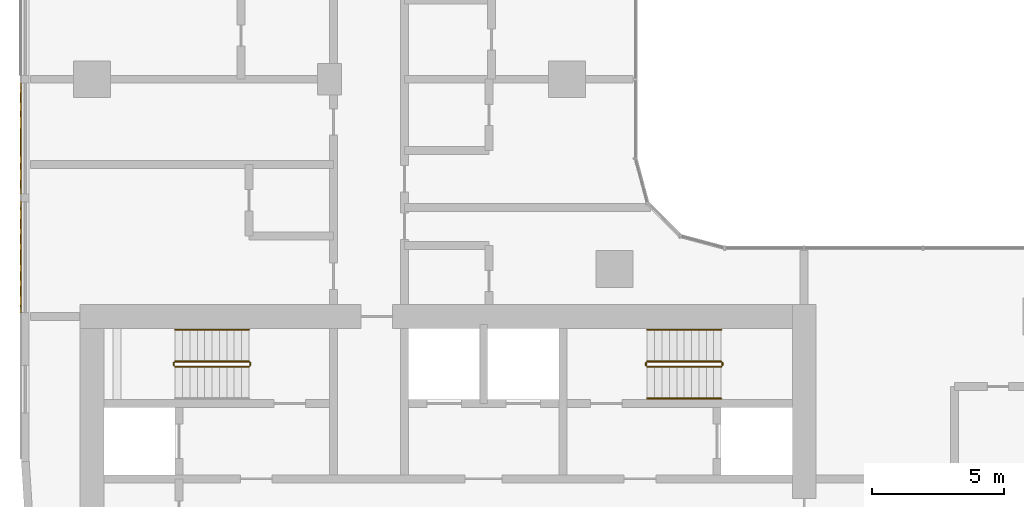
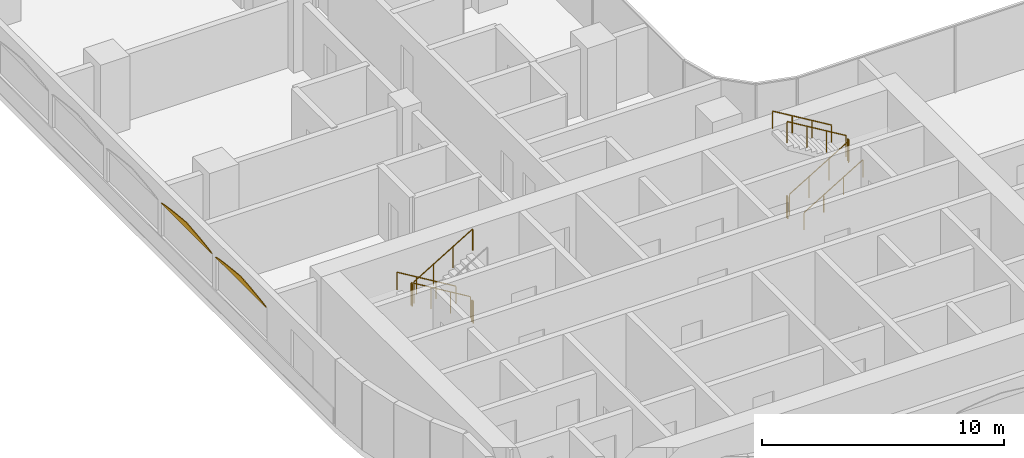
# One storey, part 29 of 34: 11 railings, 2 coverings.
"""IFC4 building model written with IfcOpenShell, lengths in metres."""

from ifc_helpers import new_model, si_unit, direction, frame, origin, origin_2d, place, context, subcontext, project, spatial, polyline, circle, outline, extrude, material, layer, layer_set, type_object, element, save


model = new_model("IFC4")

# Units and contexts
model_context = context("Model", 3, precision=1e-05, world=origin(), true_north=direction((0.0, 1.0)))
body_context = subcontext(model_context, "Body", "Model", "MODEL_VIEW")
ifc_project = project(units=[si_unit("LENGTHUNIT", "METRE"), si_unit("AREAUNIT", "SQUARE_METRE"), si_unit("VOLUMEUNIT", "CUBIC_METRE"), si_unit("PLANEANGLEUNIT", "RADIAN"), si_unit("MASSUNIT", "GRAM", prefix="KILO")], contexts=[model_context])

# Site, building, storey
site_placement = place(None, origin())
site = spatial("IfcSite", under=ifc_project, at=site_placement, CompositionType="ELEMENT")
building_placement = place(site_placement, origin())
building = spatial("IfcBuilding", under=site, at=building_placement, Name="Ogive Portal Towers", CompositionType="ELEMENT")
storey_placement = place(building_placement, frame((0.0, 0.0, 66.800048828125)))
storey = spatial("IfcBuildingStorey", under=building, at=storey_placement, Name="L15", CompositionType="ELEMENT", Elevation=66.800048828125)

# Railings
ifc_material_1 = material(Name="Stainless steel balustrade", Category="steel")
railing_type_1 = type_object("IfcRailingType", Name="INT-GUARD", PredefinedType="GUARDRAIL", material=ifc_material_1)
railing_1_placement = place(storey_placement, frame((37.449951171875, 37.800048828125, 0.168212890625)))
element("IfcRailing", 1, at=railing_1_placement, inside=storey, type_object=railing_type_1, Name="L15 ST-A1 stair guard 1", PredefinedType="GUARDRAIL", context=body_context, shape_type="SweptSolid", body=[
    extrude(circle(Radius=0.02392578125, at=origin_2d()), frame((0.0, 0.0, 1.076171875), z_axis=(-0.857275202839, 0.0, 0.514858452973), x_axis=(0.0, -1.0, 0.0)), (0.0, 0.0, 1.0), 3.26611328125),
    extrude(circle(Radius=0.02099609375, at=origin_2d()), origin(), (0.0, 0.0, 1.0), 1.052001953125),
    extrude(circle(Radius=0.02099609375, at=origin_2d()), frame((-0.933349609375, 0.0, 0.560546875)), (0.0, 0.0, 1.0), 1.052001953125),
    extrude(circle(Radius=0.02099609375, at=origin_2d()), frame((-1.86669921875, 0.0, 1.12109375)), (0.0, 0.0, 1.0), 1.052001953125),
    extrude(circle(Radius=0.02099609375, at=origin_2d()), frame((-2.800048828125, 0.0, 1.681640625)), (0.0, 0.0, 1.0), 1.052001953125),
])
railing_2_placement = place(storey_placement, frame((34.60009765625, 37.75, 1.849853515625)))
element("IfcRailing", 2, at=railing_2_placement, inside=storey, type_object=railing_type_1, Name="L15 ST-A1 stair guard 2", PredefinedType="GUARDRAIL", context=body_context, shape_type="SweptSolid", body=[
    extrude(circle(Radius=0.02392578125, at=origin_2d()), frame((0.0, 0.0, 1.076171875), z_axis=(0.0, -1.0, 0.0), x_axis=(1.0, 0.0, 0.0)), (0.0, 0.0, 1.0), 0.10009765625),
    extrude(circle(Radius=0.02099609375, at=origin_2d()), origin(), (0.0, 0.0, 1.0), 1.052001953125),
    extrude(circle(Radius=0.02099609375, at=origin_2d()), frame((0.0, -0.10009765625, 0.0)), (0.0, 0.0, 1.0), 1.052001953125),
])
railing_3_placement = place(storey_placement, frame((34.64990234375, 37.60009765625, 2.01806640625)))
element("IfcRailing", 3, at=railing_3_placement, inside=storey, type_object=railing_type_1, Name="L15 ST-A1 stair guard 3", PredefinedType="GUARDRAIL", context=body_context, shape_type="SweptSolid", body=[
    extrude(circle(Radius=0.02392578125, at=origin_2d()), frame((0.0, 0.0, 1.076171875), z_axis=(0.857242210791, 0.0, 0.514913383045), x_axis=(0.0, 1.0, 0.0)), (0.0, 0.0, 1.0), 3.266357421875),
    extrude(circle(Radius=0.02099609375, at=origin_2d()), origin(), (0.0, 0.0, 1.0), 1.052001953125),
    extrude(circle(Radius=0.02099609375, at=origin_2d()), frame((0.933349609375, 0.0, 0.560546875)), (0.0, 0.0, 1.0), 1.052001953125),
    extrude(circle(Radius=0.02099609375, at=origin_2d()), frame((1.86669921875, 0.0, 1.121337890625)), (0.0, 0.0, 1.0), 1.052001953125),
    extrude(circle(Radius=0.02099609375, at=origin_2d()), frame((2.800048828125, 0.0, 1.681884765625)), (0.0, 0.0, 1.0), 1.052001953125),
])
railing_4_placement = place(storey_placement, frame((37.5, 37.75, 0.0)))
element("IfcRailing", 4, at=railing_4_placement, inside=storey, type_object=railing_type_1, Name="L15 ST-A1 stair guard 4", PredefinedType="GUARDRAIL", context=body_context, shape_type="SweptSolid", body=[
    extrude(circle(Radius=0.02392578125, at=origin_2d()), frame((0.0, 0.0, 1.076171875), z_axis=(0.0, -1.0, 0.0), x_axis=(1.0, 0.0, 0.0)), (0.0, 0.0, 1.0), 0.10009765625),
    extrude(circle(Radius=0.02099609375, at=origin_2d()), origin(), (0.0, 0.0, 1.0), 1.052001953125),
    extrude(circle(Radius=0.02099609375, at=origin_2d()), frame((0.0, -0.10009765625, 0.0)), (0.0, 0.0, 1.0), 1.052001953125),
])
railing_5_placement = place(storey_placement, frame((52.550048828125, 37.60009765625, 0.168212890625)))
element("IfcRailing", 5, at=railing_5_placement, inside=storey, type_object=railing_type_1, Name="L15 ST-A2 stair guard 1", PredefinedType="GUARDRAIL", context=body_context, shape_type="SweptSolid", body=[
    extrude(circle(Radius=0.02392578125, at=origin_2d()), frame((0.0, 0.0, 1.076171875), z_axis=(0.857275202839, 0.0, 0.514858452973), x_axis=(0.0, 1.0, 0.0)), (0.0, 0.0, 1.0), 3.26611328125),
    extrude(circle(Radius=0.02099609375, at=origin_2d()), origin(), (0.0, 0.0, 1.0), 1.052001953125),
    extrude(circle(Radius=0.02099609375, at=origin_2d()), frame((0.933349609375, 0.0, 0.560546875)), (0.0, 0.0, 1.0), 1.052001953125),
    extrude(circle(Radius=0.02099609375, at=origin_2d()), frame((1.86669921875, 0.0, 1.12109375)), (0.0, 0.0, 1.0), 1.052001953125),
    extrude(circle(Radius=0.02099609375, at=origin_2d()), frame((2.800048828125, 0.0, 1.681640625)), (0.0, 0.0, 1.0), 1.052001953125),
])
railing_6_placement = place(storey_placement, frame((55.39990234375, 37.64990234375, 1.849853515625)))
element("IfcRailing", 6, at=railing_6_placement, inside=storey, type_object=railing_type_1, Name="L15 ST-A2 stair guard 2", PredefinedType="GUARDRAIL", context=body_context, shape_type="SweptSolid", body=[
    extrude(circle(Radius=0.02392578125, at=origin_2d()), frame((0.0, 0.0, 1.076171875), z_axis=(0.0, 1.0, 0.0), x_axis=(-1.0, 0.0, 0.0)), (0.0, 0.0, 1.0), 0.10009765625),
    extrude(circle(Radius=0.02099609375, at=origin_2d()), origin(), (0.0, 0.0, 1.0), 1.052001953125),
    extrude(circle(Radius=0.02099609375, at=origin_2d()), frame((0.0, 0.10009765625, 0.0)), (0.0, 0.0, 1.0), 1.052001953125),
])
railing_7_placement = place(storey_placement, frame((55.35009765625, 37.800048828125, 2.01806640625)))
element("IfcRailing", 7, at=railing_7_placement, inside=storey, type_object=railing_type_1, Name="L15 ST-A2 stair guard 3", PredefinedType="GUARDRAIL", context=body_context, shape_type="SweptSolid", body=[
    extrude(circle(Radius=0.02392578125, at=origin_2d()), frame((0.0, 0.0, 1.076171875), z_axis=(-0.857242210791, 0.0, 0.514913383045), x_axis=(0.0, -1.0, 0.0)), (0.0, 0.0, 1.0), 3.266357421875),
    extrude(circle(Radius=0.02099609375, at=origin_2d()), origin(), (0.0, 0.0, 1.0), 1.052001953125),
    extrude(circle(Radius=0.02099609375, at=origin_2d()), frame((-0.933349609375, 0.0, 0.560546875)), (0.0, 0.0, 1.0), 1.052001953125),
    extrude(circle(Radius=0.02099609375, at=origin_2d()), frame((-1.86669921875, 0.0, 1.121337890625)), (0.0, 0.0, 1.0), 1.052001953125),
    extrude(circle(Radius=0.02099609375, at=origin_2d()), frame((-2.800048828125, 0.0, 1.681884765625)), (0.0, 0.0, 1.0), 1.052001953125),
])
railing_8_placement = place(storey_placement, frame((52.5, 37.64990234375, 0.0)))
element("IfcRailing", 8, at=railing_8_placement, inside=storey, type_object=railing_type_1, Name="L15 ST-A2 stair guard 4", PredefinedType="GUARDRAIL", context=body_context, shape_type="SweptSolid", body=[
    extrude(circle(Radius=0.02392578125, at=origin_2d()), frame((0.0, 0.0, 1.076171875), z_axis=(0.0, 1.0, 0.0), x_axis=(-1.0, 0.0, 0.0)), (0.0, 0.0, 1.0), 0.10009765625),
    extrude(circle(Radius=0.02099609375, at=origin_2d()), origin(), (0.0, 0.0, 1.0), 1.052001953125),
    extrude(circle(Radius=0.02099609375, at=origin_2d()), frame((0.0, 0.10009765625, 0.0)), (0.0, 0.0, 1.0), 1.052001953125),
])
ifc_material_2 = material(Name="Stainless steel handrail", Category="steel")
railing_type_2 = type_object("IfcRailingType", Name="INT-HANDRAIL", PredefinedType="HANDRAIL", material=ifc_material_2)
railing_9_placement = place(storey_placement, frame((37.449951171875, 39.0, 0.168212890625)))
element("IfcRailing", 9, at=railing_9_placement, inside=storey, type_object=railing_type_2, Name="L15 ST-A1 stair handrail 1", PredefinedType="HANDRAIL", context=body_context, shape_type="SweptSolid", body=[
    extrude(circle(Radius=0.02392578125, at=origin_2d()), frame((0.0, 0.0, 0.8759765625), z_axis=(-0.857275202839, 0.0, 0.514858452973), x_axis=(0.0, -1.0, 0.0)), (0.0, 0.0, 1.0), 3.26611328125),
    extrude(circle(Radius=0.02099609375, at=origin_2d()), origin(), (0.0, 0.0, 1.0), 0.851806640625),
    extrude(circle(Radius=0.02099609375, at=origin_2d()), frame((-0.933349609375, 0.0, 0.560546875)), (0.0, 0.0, 1.0), 0.851806640625),
    extrude(circle(Radius=0.02099609375, at=origin_2d()), frame((-1.86669921875, 0.0, 1.12109375)), (0.0, 0.0, 1.0), 0.851806640625),
    extrude(circle(Radius=0.02099609375, at=origin_2d()), frame((-2.800048828125, 0.0, 1.681640625)), (0.0, 0.0, 1.0), 0.851806640625),
])
railing_10_placement = place(storey_placement, frame((52.550048828125, 36.39990234375, 0.168212890625)))
element("IfcRailing", 10, at=railing_10_placement, inside=storey, type_object=railing_type_2, Name="L15 ST-A2 stair handrail 1", PredefinedType="HANDRAIL", context=body_context, shape_type="SweptSolid", body=[
    extrude(circle(Radius=0.02392578125, at=origin_2d()), frame((0.0, 0.0, 0.8759765625), z_axis=(0.857275202839, 0.0, 0.514858452973), x_axis=(0.0, 1.0, 0.0)), (0.0, 0.0, 1.0), 3.26611328125),
    extrude(circle(Radius=0.02099609375, at=origin_2d()), origin(), (0.0, 0.0, 1.0), 0.851806640625),
    extrude(circle(Radius=0.02099609375, at=origin_2d()), frame((0.933349609375, 0.0, 0.560546875)), (0.0, 0.0, 1.0), 0.851806640625),
    extrude(circle(Radius=0.02099609375, at=origin_2d()), frame((1.86669921875, 0.0, 1.12109375)), (0.0, 0.0, 1.0), 0.851806640625),
    extrude(circle(Radius=0.02099609375, at=origin_2d()), frame((2.800048828125, 0.0, 1.681640625)), (0.0, 0.0, 1.0), 0.851806640625),
])
railing_11_placement = place(storey_placement, frame((55.35009765625, 39.0, 2.01806640625)))
element("IfcRailing", 11, at=railing_11_placement, inside=storey, type_object=railing_type_2, Name="L15 ST-A2 stair handrail 2", PredefinedType="HANDRAIL", context=body_context, shape_type="SweptSolid", body=[
    extrude(circle(Radius=0.02392578125, at=origin_2d()), frame((0.0, 0.0, 0.8759765625), z_axis=(-0.857242210791, 0.0, 0.514913383045), x_axis=(0.0, -1.0, 0.0)), (0.0, 0.0, 1.0), 3.266357421875),
    extrude(circle(Radius=0.02099609375, at=origin_2d()), origin(), (0.0, 0.0, 1.0), 0.851806640625),
    extrude(circle(Radius=0.02099609375, at=origin_2d()), frame((-0.933349609375, 0.0, 0.560546875)), (0.0, 0.0, 1.0), 0.851806640625),
    extrude(circle(Radius=0.02099609375, at=origin_2d()), frame((-1.86669921875, 0.0, 1.121337890625)), (0.0, 0.0, 1.0), 0.851806640625),
    extrude(circle(Radius=0.02099609375, at=origin_2d()), frame((-2.800048828125, 0.0, 1.681884765625)), (0.0, 0.0, 1.0), 0.851806640625),
])

# Coverings
ifc_material_3 = material(Name="Limestone cladding on lightweight block wall", Category="masonry")
ifc_layer = layer(ifc_material_3, 0.0400390625)
ifc_layer_set = layer_set([ifc_layer], Name="LANCET HEAD STONE")
covering_type = type_object("IfcCoveringType", Name="LANCET HEAD STONE", PredefinedType="CLADDING", material=ifc_layer_set)
for number, where, z_axis, x_axis, name in (
    (12, (28.820068359375, 48.35009765625, 2.599853515625), (0.999947746022, 0.0, 0.010222779737), (0.0, -1.0, 0.0), "Lancet head"),
    (13, (28.820068359375, 43.85009765625, 2.599853515625), (0.999947746022, 0.0, 0.010222779737), (0.0, -1.0, 0.0), "Lancet head"),
):
    element("IfcCovering", number, at=place(storey_placement, frame(where, z_axis=z_axis, x_axis=x_axis)), inside=storey, type_object=covering_type, Name=name, PredefinedType="CLADDING", context=body_context, shape_type="SweptSolid", body=[
        extrude(outline(polyline([(0.0, 0.0), (4.2001953125, 0.0), (4.107177734375, -0.03760068321456534), (3.9375, -0.07519887063329651), (3.7177734375, -0.11255542598018069), (3.45751953125, -0.15015361339891187), (3.162353515625, -0.18751016874579607), (2.836181640625, -0.2251083561645272), (2.481201171875, -0.26270903937909257), (2.10009765625, -0.30006559472597677), (1.718994140625, -0.26270903937909257), (1.364013671875, -0.2251083561645272), (1.037841796875, -0.18751016874579607), (0.74267578125, -0.15015361339891187), (0.482421875, -0.11255542598018069), (0.2626953125, -0.07519887063329651), (0.093017578125, -0.03760068321456534), (0.0, 0.0)])), origin(), (0.0, 0.0, -1.0), 0.0400390625),
    ])

save(model, "model.ifc")
